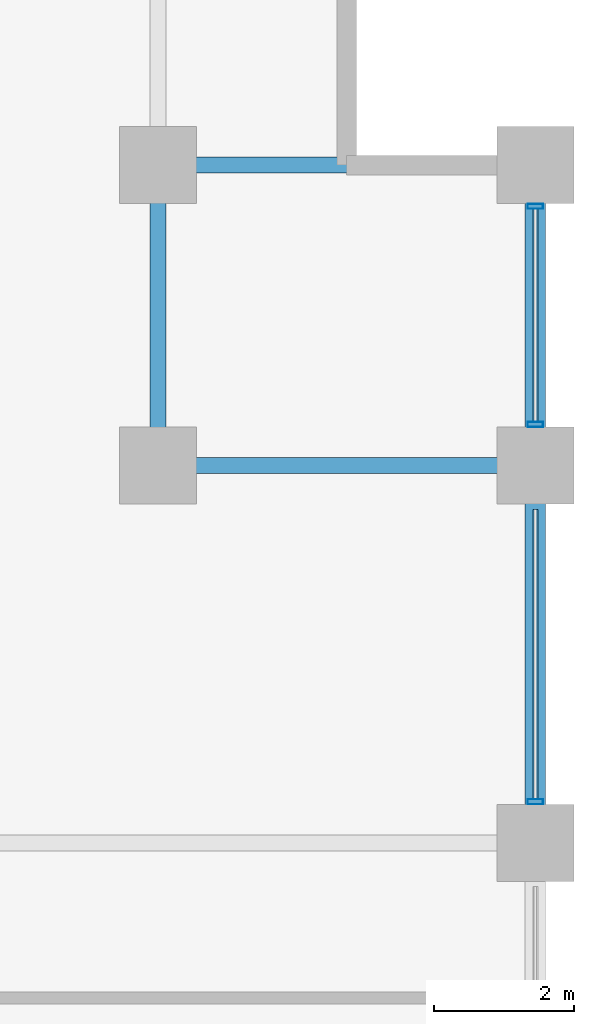
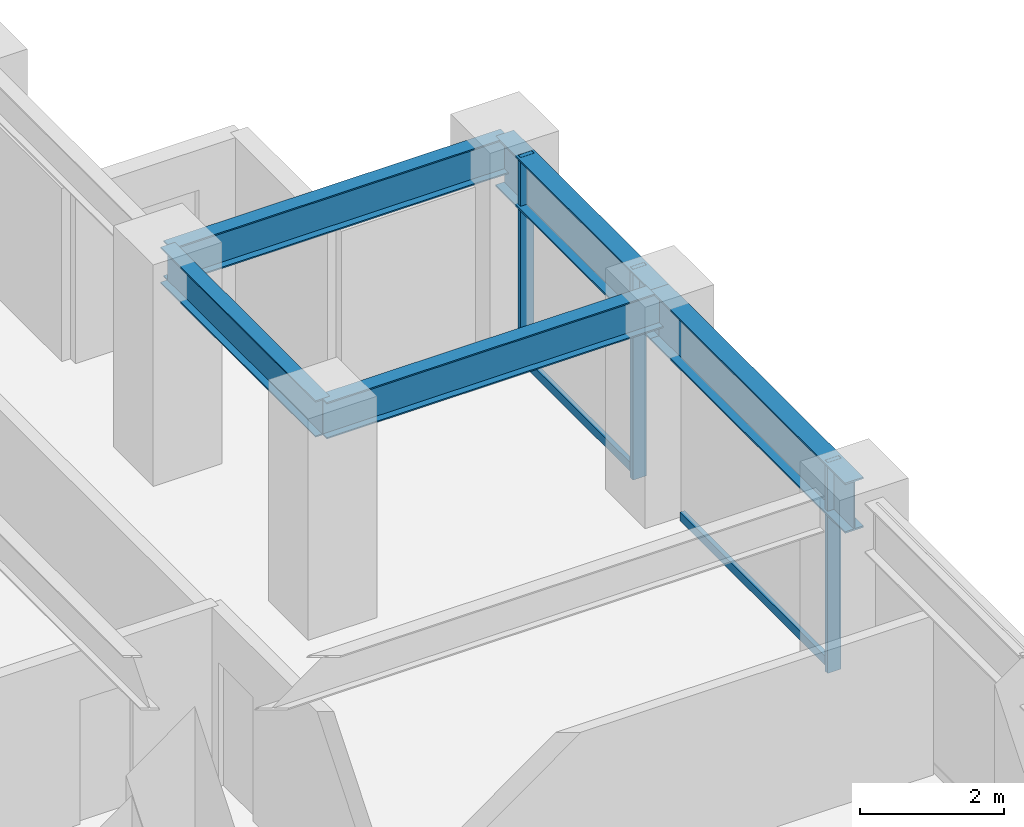
# One storey, part 15 of 25: 5 beams, 5 members, 1 element without a shape of its own.
"""IFC4 building model written with IfcOpenShell, lengths in metres."""

import ifcopenshell
import ifcopenshell.guid

model = None  # the IFC model being written
_history = None  # IfcOwnerHistory: only IFC2X3 demands one
_inside = {}  # id of a spatial element -> (the spatial element, [elements in it])
_under = {}  # id of a project, library or spatial element -> (it, [spatial elements below it])
_declared = {}  # id of a project -> (the project, [libraries it declares])
_typed = {}  # id of a type object -> (the type object, [elements of that type])
_made_of = {}  # id of a material, layer set ... -> (it, [elements and type objects made of it])


def new_model(schema):
    """Start an empty IFC model of exactly this schema.

    Asked for "IFC4X3", IfcOpenShell would pick the latest addendum, in which some entities
    have other attributes; the version numbers below select the first issue.
    IFC2X3 requires an IfcOwnerHistory on every rooted entity: one is made here for all.
    """
    global model, _history
    if schema == "IFC4X3":
        model = ifcopenshell.file(schema_version=(4, 3, 0, 0))
    else:
        model = ifcopenshell.file(schema=schema)
    _inside.clear()
    _under.clear()
    _declared.clear()
    _typed.clear()
    _made_of.clear()
    _history = None
    if model.schema == "IFC2X3":
        org = make("IfcOrganization", Name="unknown")
        user = make(
            "IfcPersonAndOrganization",
            ThePerson=make("IfcPerson", FamilyName="unknown"),
            TheOrganization=org,
        )
        app = make(
            "IfcApplication",
            ApplicationDeveloper=org,
            Version="unknown",
            ApplicationFullName="unknown",
            ApplicationIdentifier="unknown",
        )
        _history = make(
            "IfcOwnerHistory",
            OwningUser=user,
            OwningApplication=app,
            ChangeAction="ADDED",
            CreationDate=0,
        )
    return model


def make(cls, **values):
    """One entity of the class cls with the attributes given. An attribute that is None is left unset."""
    return model.create_entity(
        cls, **{name: value for name, value in values.items() if value is not None}
    )


def rooted(cls, **values):
    """An entity with a GlobalId (a new one), such as an element, a storey or a relation."""
    return make(cls, GlobalId=ifcopenshell.guid.new(), OwnerHistory=_history, **values)


def si_unit(unit_type, name, prefix=None):
    """IfcSIUnit, for example si_unit("LENGTHUNIT", "METRE", prefix="MILLI")."""
    return make("IfcSIUnit", UnitType=unit_type, Prefix=prefix, Name=name)


def assignment(units):
    """IfcUnitAssignment: the units of a project."""
    return None if units is None else make("IfcUnitAssignment", Units=units)


def point(xyz):
    """IfcCartesianPoint."""
    return None if xyz is None else make("IfcCartesianPoint", Coordinates=xyz)


def direction(xyz):
    """IfcDirection."""
    return None if xyz is None else make("IfcDirection", DirectionRatios=xyz)


def frame(location, z_axis=None, x_axis=None):
    """IfcAxis2Placement3D, a coordinate frame: its origin and axes. An axis left out is left unset."""
    return make(
        "IfcAxis2Placement3D",
        Location=point(location),
        Axis=direction(z_axis),
        RefDirection=direction(x_axis),
    )


def frame_2d(location, x_axis=None):
    """IfcAxis2Placement2D, a coordinate frame in the plane: its origin and x axis."""
    return make(
        "IfcAxis2Placement2D", Location=point(location), RefDirection=direction(x_axis)
    )


def origin():
    """The frame at (0, 0, 0) with its axes left unset."""
    return frame((0.0, 0.0, 0.0))


def origin_2d():
    """The frame at (0, 0) in the plane with its x axis left unset."""
    return frame_2d((0.0, 0.0))


def place(relative_to, where):
    """IfcLocalPlacement: puts the frame where relative to a parent placement (None: the world)."""
    return make(
        "IfcLocalPlacement", PlacementRelTo=relative_to, RelativePlacement=where
    )


def context(
    kind, dimensions, precision=None, world=None, true_north=None, identifier=None
):
    """IfcGeometricRepresentationContext, for example the 3D "Model" context."""
    return make(
        "IfcGeometricRepresentationContext",
        ContextIdentifier=identifier,
        ContextType=kind,
        CoordinateSpaceDimension=dimensions,
        Precision=precision,
        WorldCoordinateSystem=world,
        TrueNorth=true_north,
    )


def subcontext(parent, identifier, kind, view, scale=None):
    """IfcGeometricRepresentationSubContext, for example "Body" below "Model"."""
    return make(
        "IfcGeometricRepresentationSubContext",
        ContextIdentifier=identifier,
        ContextType=kind,
        ParentContext=parent,
        TargetScale=scale,
        TargetView=view,
    )


def project(units=None, contexts=None):
    """IfcProject with its units and contexts."""
    return rooted(
        "IfcProject",
        Name="project",
        RepresentationContexts=contexts,
        UnitsInContext=assignment(units),
    )


def spatial(cls, under=None, at=None, **own):
    """A site, building, storey or space (cls), placed at a placement, below another one or the project."""
    s = rooted(cls, ObjectPlacement=at, **own)
    if under is not None:
        _under.setdefault(under.id(), (under, []))[1].append(s)
    return s


def profile(cls, at=None, kind="AREA", **sizes):
    """A parametric profile (cls). Its sizes go by their IFC names, for example OverallWidth=200.0."""
    return make(cls, ProfileType=kind, Position=at, **sizes)


def hollow_rectangle(**sizes):
    """IfcRectangleHollowProfileDef."""
    return profile("IfcRectangleHollowProfileDef", **sizes)


def i_section(**sizes):
    """IfcIShapeProfileDef."""
    return profile("IfcIShapeProfileDef", **sizes)


def extrude(swept, where, along, depth):
    """IfcExtrudedAreaSolid: the profile swept, set in the frame where, extruded along a direction by depth."""
    return make(
        "IfcExtrudedAreaSolid",
        SweptArea=swept,
        Position=where,
        ExtrudedDirection=direction(along),
        Depth=depth,
    )


def shape(context_of_items, identifier, shape_type, items):
    """IfcShapeRepresentation: the items that make up one representation, for example the "Body"."""
    return make(
        "IfcShapeRepresentation",
        ContextOfItems=context_of_items,
        RepresentationIdentifier=identifier,
        RepresentationType=shape_type,
        Items=items,
    )


def material(Name=None, Category=None):
    """IfcMaterial."""
    return make("IfcMaterial", Name=Name, Category=Category)


def layer(
    of_material, thickness, ventilated=None, Name=None, Category=None, Priority=None
):
    """IfcMaterialLayer: one layer of a wall or slab, of a material (None: an air gap)."""
    return make(
        "IfcMaterialLayer",
        Material=of_material,
        LayerThickness=thickness,
        IsVentilated=ventilated,
        Name=Name,
        Category=Category,
        Priority=Priority,
    )


def layer_set(layers, Name=None):
    """IfcMaterialLayerSet."""
    return make("IfcMaterialLayerSet", MaterialLayers=layers, LayerSetName=Name)


def material_profile(
    of_material, cross_section, Name=None, Category=None, Priority=None
):
    """IfcMaterialProfile: a cross section and its material."""
    return make(
        "IfcMaterialProfile",
        Name=Name,
        Material=of_material,
        Profile=cross_section,
        Priority=Priority,
        Category=Category,
    )


def profile_set(profiles, Name=None, composite=None):
    """IfcMaterialProfileSet."""
    return make(
        "IfcMaterialProfileSet",
        Name=Name,
        MaterialProfiles=profiles,
        CompositeProfile=composite,
    )


def made_of(thing, what):
    """Note that an element or type object is made of a material, layer set ...; save() writes the relation."""
    if what is not None:
        _made_of.setdefault(what.id(), (what, []))[1].append(thing)
    return thing


def type_object(cls, material=None, **own):
    """A type object (cls), such as IfcWallType, which elements share."""
    return made_of(rooted(cls, **own), material)


def element(
    cls,
    number,
    at=None,
    inside=None,
    cuts=None,
    type_object=None,
    material=None,
    context=None,
    identifier="Body",
    shape_type=None,
    held_by="IfcProductDefinitionShape",
    body=None,
    shapes=None,
    **own,
):
    """One element of the class cls, such as IfcWall. Its Tag is "e" and its number.

    at: its placement. inside: the storey or other place that contains it. cuts: it is an
    opening in that element (IfcRelVoidsElement). A single representation is given by context,
    identifier, shape_type and body (its items); several are given by shapes. held_by: the class
    of the entity that holds the representations. save() writes the other relations.
    """
    e = rooted(cls, Tag="e%d" % number, ObjectPlacement=at, **own)
    if body is not None:
        shapes = [shape(context, identifier, shape_type, body)]
    if shapes is not None:
        e.Representation = make(held_by, Representations=shapes)
    if inside is not None:
        _inside.setdefault(inside.id(), (inside, []))[1].append(e)
    if cuts is not None:
        rooted(
            "IfcRelVoidsElement", RelatingBuildingElement=cuts, RelatedOpeningElement=e
        )
    if type_object is not None:
        _typed.setdefault(type_object.id(), (type_object, []))[1].append(e)
    return made_of(e, material)


def aggregate(whole, parts):
    """IfcRelAggregates: a whole, such as a stair, and the parts it consists of."""
    return rooted("IfcRelAggregates", RelatingObject=whole, RelatedObjects=parts)


def save(model, path):
    """Write the relations noted so far, then the file.

    IfcRelAggregates (storeys below a building ...), IfcRelContainedInSpatialStructure (elements
    in a storey), IfcRelDefinesByType, IfcRelAssociatesMaterial and IfcRelDeclares: one each for
    every whole, place, type object, material and project.
    """
    for whole, parts in _under.values():
        aggregate(whole, parts)
    for where, things in _inside.values():
        rooted(
            "IfcRelContainedInSpatialStructure",
            RelatedElements=things,
            RelatingStructure=where,
        )
    for kind, things in _typed.values():
        rooted("IfcRelDefinesByType", RelatedObjects=things, RelatingType=kind)
    for what, things in _made_of.values():
        rooted("IfcRelAssociatesMaterial", RelatedObjects=things, RelatingMaterial=what)
    for by, libraries in _declared.values():
        rooted("IfcRelDeclares", RelatingContext=by, RelatedDefinitions=libraries)
    model.write(path)


model = new_model("IFC4")

# Units and contexts
model_context = context("Model", 3, precision=1e-05, world=origin(), true_north=direction((0.0, 1.0)))
body_context = subcontext(model_context, "Body", "Model", "MODEL_VIEW")
ifc_project = project(units=[si_unit("LENGTHUNIT", "METRE"), si_unit("AREAUNIT", "SQUARE_METRE"), si_unit("VOLUMEUNIT", "CUBIC_METRE"), si_unit("PLANEANGLEUNIT", "RADIAN"), si_unit("MASSUNIT", "GRAM", prefix="KILO")], contexts=[model_context])

# Site, building, storey
site_placement = place(None, origin())
site = spatial("IfcSite", under=ifc_project, at=site_placement, CompositionType="ELEMENT")
building_placement = place(site_placement, origin())
building = spatial("IfcBuilding", under=site, at=building_placement, Name="Surkhivell Harbour Commons", CompositionType="ELEMENT")
storey_placement = place(building_placement, frame((0.0, 0.0, 109.5)))
storey = spatial("IfcBuildingStorey", under=building, at=storey_placement, Name="L28", CompositionType="ELEMENT", Elevation=109.5)

# Beams
ifc_material_1 = material(Name="Steel S355", Category="steel")
ifc_material_profile_1 = material_profile(ifc_material_1, i_section(OverallWidth=0.22998046875, OverallDepth=0.616943359375, WebThickness=0.01318359375, FlangeThickness=0.022216796875, at=origin_2d()), Name="UB610x229x140")
ifc_profile_set_1 = profile_set([ifc_material_profile_1], Name="Steel S355")
beam_type_1 = type_object("IfcBeamType", Name="BM-GRD-610B", PredefinedType="BEAM", material=ifc_profile_set_1)
beam_1_placement = place(storey_placement, frame((16.199951171875, 16.199951171875, 3.261474609375), z_axis=(0.0, 1.0, 0.0), x_axis=(-1.0, 0.0, 0.0)))
element("IfcBeam", 1, at=beam_1_placement, inside=storey, type_object=beam_type_1, Name="L28 Floor Girder (16.2,16.2)", PredefinedType="BEAM", context=body_context, shape_type="SweptSolid", body=[
    extrude(i_section(OverallWidth=0.22998046875, OverallDepth=0.616943359375, WebThickness=0.01318359375, FlangeThickness=0.022216796875, at=origin_2d()), origin(), (0.0, 0.0, 1.0), 4.300048828125),
])
for number, where, z_axis, x_axis, name in (
    (2, (16.199951171875, 16.199951171875, 3.261474609375), (1.0, 0.0, 0.0), (0.0, 1.0, 0.0), "L28 Floor Girder (16.2,16.2)"),
    (3, (16.199951171875, 20.5, 3.261474609375), (1.0, 0.0, 0.0), (0.0, 1.0, 0.0), "L28 Floor Girder (16.2,20.5)"),
):
    element("IfcBeam", number, at=place(storey_placement, frame(where, z_axis=z_axis, x_axis=x_axis)), inside=storey, type_object=beam_type_1, Name=name, PredefinedType="BEAM", context=body_context, shape_type="SweptSolid", body=[
        extrude(i_section(OverallWidth=0.22998046875, OverallDepth=0.616943359375, WebThickness=0.01318359375, FlangeThickness=0.022216796875, at=origin_2d()), origin(), (0.0, 0.0, 1.0), 5.400146484375),
    ])
ifc_material_2 = material(Name="Steel S460", Category="steel")
ifc_material_profile_2 = material_profile(ifc_material_2, i_section(OverallWidth=0.2939453125, OverallDepth=0.85107421875, WebThickness=0.01611328125, FlangeThickness=0.02685546875, at=origin_2d()), Name="UB838x292x226")
ifc_profile_set_2 = profile_set([ifc_material_profile_2], Name="Steel S460")
beam_type_2 = type_object("IfcBeamType", Name="BM-SPN-838", PredefinedType="SPANDREL", material=ifc_profile_set_2)
beam_2_placement = place(storey_placement, frame((21.60009765625, 10.800048828125, 3.14453125), z_axis=(0.0, 1.0, 0.0), x_axis=(-1.0, 0.0, 0.0)))
element("IfcBeam", 4, at=beam_2_placement, inside=storey, type_object=beam_type_2, Name="L28 Tube Spandrel (21.6,10.8)", PredefinedType="SPANDREL", context=body_context, shape_type="SweptSolid", body=[
    extrude(i_section(OverallWidth=0.2939453125, OverallDepth=0.85107421875, WebThickness=0.01611328125, FlangeThickness=0.02685546875, at=origin_2d()), origin(), (0.0, 0.0, 1.0), 5.39990234375),
])
beam_3_placement = place(storey_placement, frame((21.60009765625, 16.199951171875, 3.14453125), z_axis=(0.0, 1.0, 0.0), x_axis=(-1.0, 0.0, 0.0)))
element("IfcBeam", 5, at=beam_3_placement, inside=storey, type_object=beam_type_2, Name="L28 Tube Spandrel (21.6,16.2)", PredefinedType="SPANDREL", context=body_context, shape_type="SweptSolid", body=[
    extrude(i_section(OverallWidth=0.2939453125, OverallDepth=0.85107421875, WebThickness=0.01611328125, FlangeThickness=0.02685546875, at=origin_2d()), origin(), (0.0, 0.0, 1.0), 4.300048828125),
])

# Curtain wall, members
ifc_material_3 = material(Name="Anodised pale-metal aluminium and insulated glazing", Category="aluminium")
ifc_layer = layer(ifc_material_3, 0.205078125)
ifc_layer_set = layer_set([ifc_layer], Name="Anodised pale-metal aluminium and insulated glazing")
curtain_wall_type = type_object("IfcCurtainWallType", Name="CW-SYS-Z2", PredefinedType="NOTDEFINED", material=ifc_layer_set)
curtain_wall_placement = place(storey_placement, origin())
curtain_wall = element("IfcCurtainWall", 6, at=curtain_wall_placement, inside=storey, type_object=curtain_wall_type, Name="L28 Curtain Wall CW-L28-E02", PredefinedType="NOTDEFINED")
ifc_material_4 = material(Name="Anodised pale-metal aluminium alloy 6063-T6", Category="aluminium")
ifc_material_profile_3 = material_profile(ifc_material_4, hollow_rectangle(XDim=0.074951171875, YDim=0.219970703125, WallThickness=0.00390625, at=origin_2d()), Name="ALU-MULL-75x220")
ifc_profile_set_3 = profile_set([ifc_material_profile_3], Name="Anodised pale-metal aluminium alloy 6063-T6")
member_type_1 = type_object("IfcMemberType", Name="CWM-220", PredefinedType="MULLION", material=ifc_profile_set_3)
member_1_placement = place(storey_placement, frame((21.60009765625, 11.389404296875, 0.0), z_axis=(0.0, 0.0, 1.0), x_axis=(0.0, 1.0, 0.0)))
member_1 = element("IfcMember", 7, at=member_1_placement, type_object=member_type_1, Name="CW-Z2 mullion 4", PredefinedType="MULLION", context=body_context, shape_type="SweptSolid", body=[
    extrude(hollow_rectangle(XDim=0.074951171875, YDim=0.219970703125, WallThickness=0.00390625, at=origin_2d()), origin(), (0.0, 0.0, 1.0), 3.570068359375),
])
member_2_placement = place(storey_placement, frame((21.60009765625, 16.78955078125, 0.0), z_axis=(0.0, 0.0, 1.0), x_axis=(0.0, 1.0, 0.0)))
member_2 = element("IfcMember", 8, at=member_2_placement, type_object=member_type_1, Name="CW-Z2 mullion 5", PredefinedType="MULLION", context=body_context, shape_type="SweptSolid", body=[
    extrude(hollow_rectangle(XDim=0.074951171875, YDim=0.219970703125, WallThickness=0.00390625, at=origin_2d()), origin(), (0.0, 0.0, 1.0), 3.570068359375),
])
member_3_placement = place(storey_placement, frame((21.60009765625, 19.910400390625, 0.0), z_axis=(0.0, 0.0, 1.0), x_axis=(0.0, 1.0, 0.0)))
member_3 = element("IfcMember", 9, at=member_3_placement, type_object=member_type_1, Name="CW-Z2 mullion 6", PredefinedType="MULLION", context=body_context, shape_type="SweptSolid", body=[
    extrude(hollow_rectangle(XDim=0.074951171875, YDim=0.219970703125, WallThickness=0.00390625, at=origin_2d()), origin(), (0.0, 0.0, 1.0), 3.570068359375),
])
ifc_material_profile_4 = material_profile(ifc_material_4, hollow_rectangle(XDim=0.074951171875, YDim=0.14990234375, WallThickness=0.00341796875, at=origin_2d()), Name="ALU-TRAN-75x150")
ifc_profile_set_4 = profile_set([ifc_material_profile_4], Name="Anodised pale-metal aluminium alloy 6063-T6")
member_type_2 = type_object("IfcMemberType", Name="CWT-150", PredefinedType="USERDEFINED", material=ifc_profile_set_4)
member_4_placement = place(storey_placement, frame((21.60009765625, 11.427001953125, 0.074951171875), z_axis=(0.0, 1.0, 0.0), x_axis=(-1.0, 0.0, 0.0)))
member_4 = element("IfcMember", 10, at=member_4_placement, type_object=member_type_2, Name="CW-Z2 transom 4.1", ObjectType="TRANSOM", PredefinedType="USERDEFINED", context=body_context, shape_type="SweptSolid", body=[
    extrude(hollow_rectangle(XDim=0.074951171875, YDim=0.14990234375, WallThickness=0.00341796875, at=origin_2d()), origin(), (0.0, 0.0, 1.0), 4.14599609375),
])
member_5_placement = place(storey_placement, frame((21.60009765625, 16.826904296875, 0.074951171875), z_axis=(0.0, 1.0, 0.0), x_axis=(-1.0, 0.0, 0.0)))
member_5 = element("IfcMember", 11, at=member_5_placement, type_object=member_type_2, Name="CW-Z2 transom 5.1", ObjectType="TRANSOM", PredefinedType="USERDEFINED", context=body_context, shape_type="SweptSolid", body=[
    extrude(hollow_rectangle(XDim=0.074951171875, YDim=0.14990234375, WallThickness=0.00341796875, at=origin_2d()), origin(), (0.0, 0.0, 1.0), 3.046142578125),
])
aggregate(curtain_wall, [member_1, member_4, member_2, member_3, member_5])

save(model, "model.ifc")
